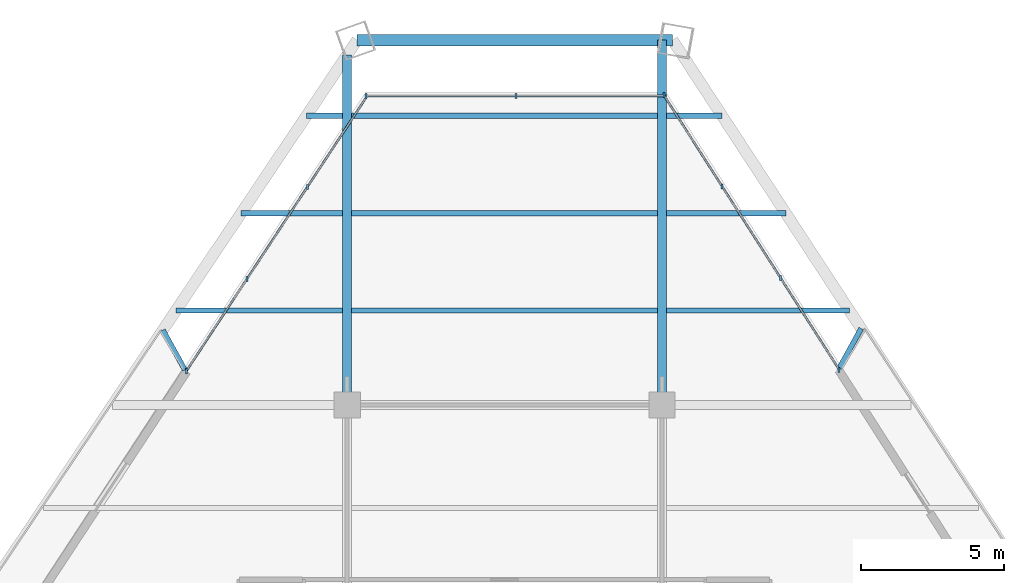
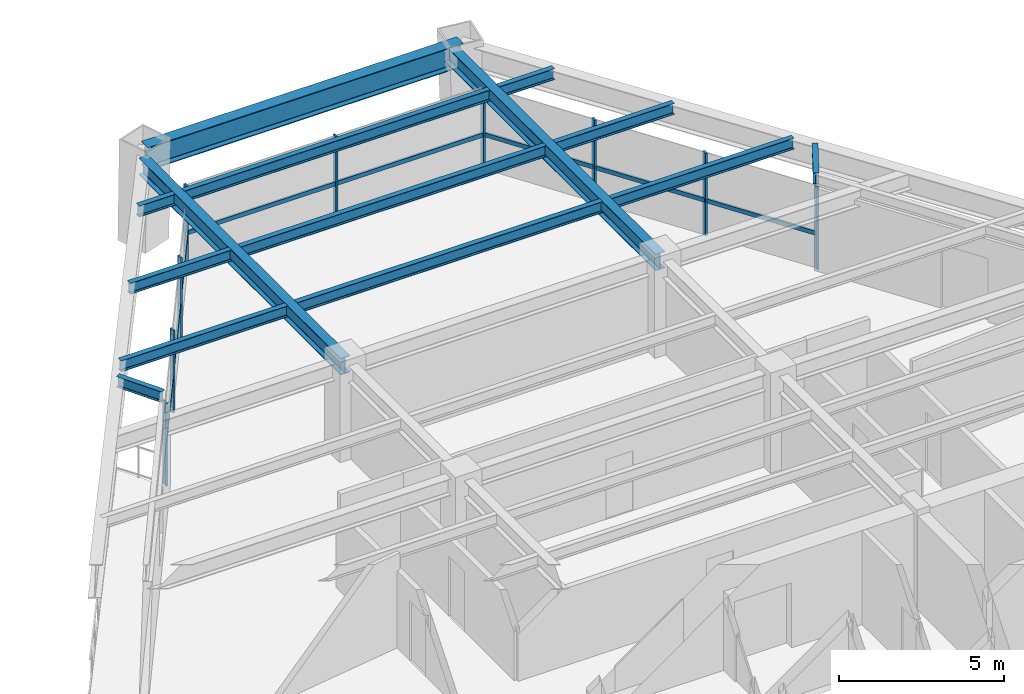
# One storey, part 8 of 14: 18 members, 14 beams, 3 elements without a shape of their own.
"""IFC4 building model written with IfcOpenShell, lengths in metres."""

from ifc_helpers import new_model, si_unit, direction, frame, origin, origin_2d, place, context, subcontext, project, spatial, rectangle, i_section, extrude, source, transform, mapped, material, material_profile, profile_set, type_object, element, aggregate, save


model = new_model("IFC4")

# Units and contexts
model_context = context("Model", 3, precision=1e-05, world=origin(), true_north=direction((0.0, 1.0)))
body_context = subcontext(model_context, "Body", "Model", "MODEL_VIEW")
ifc_project = project(units=[si_unit("LENGTHUNIT", "METRE"), si_unit("AREAUNIT", "SQUARE_METRE"), si_unit("VOLUMEUNIT", "CUBIC_METRE"), si_unit("PLANEANGLEUNIT", "RADIAN"), si_unit("MASSUNIT", "GRAM", prefix="KILO")], contexts=[model_context])

# Site, building, storey
site_placement = place(None, origin())
site = spatial("IfcSite", under=ifc_project, at=site_placement, CompositionType="ELEMENT")
building_placement = place(site_placement, origin())
building = spatial("IfcBuilding", under=site, at=building_placement, Name="Varnakhor Terracotta Tower", CompositionType="ELEMENT")
storey_placement = place(building_placement, frame((0.0, 0.0, 129.300048828125)))
storey = spatial("IfcBuildingStorey", under=building, at=storey_placement, Name="L32", CompositionType="ELEMENT", Elevation=129.300048828125)

# Beams
ifc_material_1 = material(Name="Steel S355", Category="steel")
ifc_material_profile_1 = material_profile(ifc_material_1, i_section(OverallWidth=0.179931640625, OverallDepth=0.4130859375, WebThickness=0.009765625, FlangeThickness=0.01611328125, FilletRadius=0.01806640625, at=origin_2d()), Name="W16X50")
ifc_profile_set_1 = profile_set([ifc_material_profile_1], Name="Steel S355")
beam_type_1 = type_object("IfcBeamType", Name="JST-W16X50", PredefinedType="JOIST", material=ifc_profile_set_1)
shared_shape_1 = source(origin(), body_context, "Body", "SweptSolid", [
    extrude(i_section(OverallWidth=0.179931640625, OverallDepth=0.4130859375, WebThickness=0.009765625, FlangeThickness=0.01611328125, FilletRadius=0.01806640625, at=origin_2d()), origin(), (0.0, 0.0, 1.0), 10.68310546875),
])
for number, where, z_axis, x_axis, name in (
    (1, (-5.341552734375, 34.800048828125, 3.263427734375), (1.0, 0.0, 0.0), (0.0, 1.0, 0.0), "L32 Composite Floor Joist 7-2"),
    (2, (-5.341552734375, 38.199951171875, 3.263427734375), (1.0, 0.0, 0.0), (0.0, 1.0, 0.0), "L32 Composite Floor Joist 8-2"),
    (3, (-5.341552734375, 41.60009765625, 3.263427734375), (1.0, 0.0, 0.0), (0.0, 1.0, 0.0), "L32 Composite Floor Joist 9-2"),
):
    element("IfcBeam", number, at=place(storey_placement, frame(where, z_axis=z_axis, x_axis=x_axis)), inside=storey, type_object=beam_type_1, Name=name, PredefinedType="JOIST", context=body_context, shape_type="MappedRepresentation", body=[
        mapped(shared_shape_1, transform((0.0, 0.0, 0.0), scale=1.0)),
    ])
ifc_material_profile_2 = material_profile(ifc_material_1, i_section(OverallWidth=0.39990234375, OverallDepth=0.85498046875, WebThickness=0.01806640625, FlangeThickness=0.029052734375, FilletRadius=0.01806640625, at=origin_2d()), Name="W33X201")
ifc_profile_set_2 = profile_set([ifc_material_profile_2], Name="Steel S355")
beam_type_2 = type_object("IfcBeamType", Name="BM-W33X201", PredefinedType="BEAM", material=ifc_profile_set_2)
shared_shape_2 = source(origin(), body_context, "Body", "SweptSolid", [
    extrude(i_section(OverallWidth=0.39990234375, OverallDepth=0.85498046875, WebThickness=0.01806640625, FlangeThickness=0.029052734375, FilletRadius=0.01806640625, at=origin_2d()), origin(), (0.0, 0.0, 1.0), 11.017822265625),
])
beam_1_placement = place(storey_placement, frame((5.867431640625, 44.243896484375, 3.04248046875), z_axis=(-1.0, 0.0, 0.0), x_axis=(0.0, -1.0, 0.0)))
element("IfcBeam", 4, at=beam_1_placement, inside=storey, type_object=beam_type_2, Name="L32 Perimeter Spandrel 5", PredefinedType="BEAM", context=body_context, shape_type="MappedRepresentation", body=[
    mapped(shared_shape_2, transform((0.0, 0.0, 0.0), scale=1.0)),
])
ifc_material_profile_3 = material_profile(ifc_material_1, i_section(OverallWidth=0.324951171875, OverallDepth=0.615966796875, WebThickness=0.013916015625, FlangeThickness=0.02197265625, FilletRadius=0.01806640625, at=origin_2d()), Name="W24X117")
ifc_profile_set_3 = profile_set([ifc_material_profile_3], Name="Steel S355")
beam_type_3 = type_object("IfcBeamType", Name="BM-W24X117", PredefinedType="BEAM", material=ifc_profile_set_3)
shared_shape_3 = source(origin(), body_context, "Body", "SweptSolid", [
    extrude(i_section(OverallWidth=0.324951171875, OverallDepth=0.615966796875, WebThickness=0.013916015625, FlangeThickness=0.02197265625, FilletRadius=0.01806640625, at=origin_2d()), origin(), (0.0, 0.0, 1.0), 12.222412109375),
])
beam_2_placement = place(storey_placement, frame((-5.5, 31.5, 3.161865234375), z_axis=(0.0, 1.0, 0.0), x_axis=(-1.0, 0.0, 0.0)))
element("IfcBeam", 5, at=beam_2_placement, inside=storey, type_object=beam_type_3, Name="L32 Primary Girder NS3-W", PredefinedType="BEAM", context=body_context, shape_type="MappedRepresentation", body=[
    mapped(shared_shape_3, transform((0.0, 0.0, 0.0), scale=1.0)),
])
shared_shape_4 = source(origin(), body_context, "Body", "SweptSolid", [
    extrude(i_section(OverallWidth=0.324951171875, OverallDepth=0.615966796875, WebThickness=0.013916015625, FlangeThickness=0.02197265625, FilletRadius=0.01806640625, at=origin_2d()), origin(), (0.0, 0.0, 1.0), 12.743896484375),
])
beam_3_placement = place(storey_placement, frame((5.5, 31.5, 3.161865234375), z_axis=(0.0, 1.0, 0.0), x_axis=(-1.0, 0.0, 0.0)))
element("IfcBeam", 6, at=beam_3_placement, inside=storey, type_object=beam_type_3, Name="L32 Primary Girder NS3-E", PredefinedType="BEAM", context=body_context, shape_type="MappedRepresentation", body=[
    mapped(shared_shape_4, transform((0.0, 0.0, 0.0), scale=1.0)),
])
shared_shape_5 = source(origin(), body_context, "Body", "SweptSolid", [
    extrude(i_section(OverallWidth=0.179931640625, OverallDepth=0.4130859375, WebThickness=0.009765625, FlangeThickness=0.01611328125, FilletRadius=0.01806640625, at=origin_2d()), origin(), (0.0, 0.0, 1.0), 5.820556640625),
])
beam_4_placement = place(storey_placement, frame((-11.47900390625, 34.800048828125, 3.263427734375), z_axis=(1.0, 0.0, 0.0), x_axis=(0.0, 1.0, 0.0)))
element("IfcBeam", 7, at=beam_4_placement, inside=storey, type_object=beam_type_1, Name="L32 Composite Floor Joist 7-1", PredefinedType="JOIST", context=body_context, shape_type="MappedRepresentation", body=[
    mapped(shared_shape_5, transform((0.0, 0.0, 0.0), scale=1.0)),
])
shared_shape_6 = source(origin(), body_context, "Body", "SweptSolid", [
    extrude(i_section(OverallWidth=0.179931640625, OverallDepth=0.4130859375, WebThickness=0.009765625, FlangeThickness=0.01611328125, FilletRadius=0.01806640625, at=origin_2d()), origin(), (0.0, 0.0, 1.0), 6.384521484375),
])
beam_5_placement = place(storey_placement, frame((5.658447265625, 34.800048828125, 3.263427734375), z_axis=(1.0, 0.0, 0.0), x_axis=(0.0, 1.0, 0.0)))
element("IfcBeam", 8, at=beam_5_placement, inside=storey, type_object=beam_type_1, Name="L32 Composite Floor Joist 7-3", PredefinedType="JOIST", context=body_context, shape_type="MappedRepresentation", body=[
    mapped(shared_shape_6, transform((0.0, 0.0, 0.0), scale=1.0)),
])
shared_shape_7 = source(origin(), body_context, "Body", "SweptSolid", [
    extrude(i_section(OverallWidth=0.179931640625, OverallDepth=0.4130859375, WebThickness=0.009765625, FlangeThickness=0.01611328125, FilletRadius=0.01806640625, at=origin_2d()), origin(), (0.0, 0.0, 1.0), 3.542236328125),
])
beam_6_placement = place(storey_placement, frame((-9.20068359375, 38.199951171875, 3.263427734375), z_axis=(1.0, 0.0, 0.0), x_axis=(0.0, 1.0, 0.0)))
element("IfcBeam", 9, at=beam_6_placement, inside=storey, type_object=beam_type_1, Name="L32 Composite Floor Joist 8-1", PredefinedType="JOIST", context=body_context, shape_type="MappedRepresentation", body=[
    mapped(shared_shape_7, transform((0.0, 0.0, 0.0), scale=1.0)),
])
shared_shape_8 = source(origin(), body_context, "Body", "SweptSolid", [
    extrude(i_section(OverallWidth=0.179931640625, OverallDepth=0.4130859375, WebThickness=0.009765625, FlangeThickness=0.01611328125, FilletRadius=0.01806640625, at=origin_2d()), origin(), (0.0, 0.0, 1.0), 4.1611328125),
])
beam_7_placement = place(storey_placement, frame((5.658447265625, 38.199951171875, 3.263427734375), z_axis=(1.0, 0.0, 0.0), x_axis=(0.0, 1.0, 0.0)))
element("IfcBeam", 10, at=beam_7_placement, inside=storey, type_object=beam_type_1, Name="L32 Composite Floor Joist 8-3", PredefinedType="JOIST", context=body_context, shape_type="MappedRepresentation", body=[
    mapped(shared_shape_8, transform((0.0, 0.0, 0.0), scale=1.0)),
])
shared_shape_9 = source(origin(), body_context, "Body", "SweptSolid", [
    extrude(i_section(OverallWidth=0.179931640625, OverallDepth=0.4130859375, WebThickness=0.009765625, FlangeThickness=0.01611328125, FilletRadius=0.01806640625, at=origin_2d()), origin(), (0.0, 0.0, 1.0), 1.263671875),
])
beam_8_placement = place(storey_placement, frame((-6.922119140625, 41.60009765625, 3.263427734375), z_axis=(1.0, 0.0, 0.0), x_axis=(0.0, 1.0, 0.0)))
element("IfcBeam", 11, at=beam_8_placement, inside=storey, type_object=beam_type_1, Name="L32 Composite Floor Joist 9-1", PredefinedType="JOIST", context=body_context, shape_type="MappedRepresentation", body=[
    mapped(shared_shape_9, transform((0.0, 0.0, 0.0), scale=1.0)),
])
shared_shape_10 = source(origin(), body_context, "Body", "SweptSolid", [
    extrude(i_section(OverallWidth=0.179931640625, OverallDepth=0.4130859375, WebThickness=0.009765625, FlangeThickness=0.01611328125, FilletRadius=0.01806640625, at=origin_2d()), origin(), (0.0, 0.0, 1.0), 1.937744140625),
])
beam_9_placement = place(storey_placement, frame((5.658447265625, 41.60009765625, 3.263427734375), z_axis=(1.0, 0.0, 0.0), x_axis=(0.0, 1.0, 0.0)))
element("IfcBeam", 12, at=beam_9_placement, inside=storey, type_object=beam_type_1, Name="L32 Composite Floor Joist 9-3", PredefinedType="JOIST", context=body_context, shape_type="MappedRepresentation", body=[
    mapped(shared_shape_10, transform((0.0, 0.0, 0.0), scale=1.0)),
])

# Curtain wall, members
ifc_material_2 = material(Name="Anodised Aluminium Curtain Wall System", Category="aluminium")
curtain_wall_type = type_object("IfcCurtainWallType", Name="CW-SYS-MID-OFFICE", PredefinedType="NOTDEFINED", material=ifc_material_2)
curtain_wall_1_placement = place(storey_placement, origin())
curtain_wall_1 = element("IfcCurtainWall", 13, at=curtain_wall_1_placement, inside=storey, type_object=curtain_wall_type, Name="L32 W Facet Curtain Wall 2", PredefinedType="NOTDEFINED")
ifc_material_3 = material(Name="Anodised Aluminium 6063-T6", Category="aluminium")
ifc_material_profile_4 = material_profile(ifc_material_3, rectangle(XDim=0.070068359375, YDim=0.175048828125, at=origin_2d()), Name="ALU MULLION 70x175")
ifc_profile_set_4 = profile_set([ifc_material_profile_4], Name="Anodised Aluminium 6063-T6")
member_type_1 = type_object("IfcMemberType", Name="CWM-03", PredefinedType="MULLION", material=ifc_profile_set_4)
shared_shape_11 = source(origin(), body_context, "Body", "SweptSolid", [
    extrude(rectangle(XDim=0.070068359375, YDim=0.175048828125, at=origin_2d()), origin(), (0.0, 0.0, 1.0), 3.050048828125),
])
member_1_placement = place(storey_placement, frame((-11.10205078125, 32.70166015625, 0.0), z_axis=(0.0, 0.0, 1.0), x_axis=(1.0, 0.0, 0.0)))
member_1 = element("IfcMember", 14, at=member_1_placement, type_object=member_type_1, Name="L32 W Facet Curtain Wall 2 Mullion 1", PredefinedType="MULLION", context=body_context, shape_type="MappedRepresentation", body=[
    mapped(shared_shape_11, transform((0.0, 0.0, 0.0), scale=1.0)),
])
member_2_placement = place(storey_placement, frame((-8.994140625, 35.909423828125, 0.0), z_axis=(0.0, 0.0, 1.0), x_axis=(1.0, 0.0, 0.0)))
member_2 = element("IfcMember", 15, at=member_2_placement, type_object=member_type_1, Name="L32 W Facet Curtain Wall 2 Mullion 2", PredefinedType="MULLION", context=body_context, shape_type="MappedRepresentation", body=[
    mapped(shared_shape_11, transform((0.0, 0.0, 0.0), scale=1.0)),
])
member_3_placement = place(storey_placement, frame((-6.885986328125, 39.1171875, 0.0), z_axis=(0.0, 0.0, 1.0), x_axis=(1.0, 0.0, 0.0)))
member_3 = element("IfcMember", 16, at=member_3_placement, type_object=member_type_1, Name="L32 W Facet Curtain Wall 2 Mullion 3", PredefinedType="MULLION", context=body_context, shape_type="MappedRepresentation", body=[
    mapped(shared_shape_11, transform((0.0, 0.0, 0.0), scale=1.0)),
])
member_4_placement = place(storey_placement, frame((-11.101806640625, 32.66552734375, 0.0), z_axis=(0.0, 0.0, 1.0), x_axis=(1.0, 0.0, 0.0)))
member_4 = element("IfcMember", 17, at=member_4_placement, type_object=member_type_1, Name="L32 W Loggia Jamb Closure Mullion 2", PredefinedType="MULLION", context=body_context, shape_type="MappedRepresentation", body=[
    mapped(shared_shape_11, transform((0.0, 0.0, 0.0), scale=1.0)),
])

curtain_wall_2_placement = place(storey_placement, origin())
curtain_wall_2 = element("IfcCurtainWall", 18, at=curtain_wall_2_placement, inside=storey, type_object=curtain_wall_type, Name="L32 Facet Curtain Wall 2", PredefinedType="NOTDEFINED")
member_5_placement = place(storey_placement, frame((-4.831787109375, 42.2958984375, 0.0), z_axis=(0.0, 0.0, 1.0), x_axis=(1.0, 0.0, 0.0)))
member_5 = element("IfcMember", 19, at=member_5_placement, type_object=member_type_1, Name="L32 Facet Curtain Wall 2 Mullion 1", PredefinedType="MULLION", context=body_context, shape_type="MappedRepresentation", body=[
    mapped(shared_shape_11, transform((0.0, 0.0, 0.0), scale=1.0)),
])
member_6_placement = place(storey_placement, frame((0.391357421875, 42.2958984375, 0.0), z_axis=(0.0, 0.0, 1.0), x_axis=(1.0, 0.0, 0.0)))
member_6 = element("IfcMember", 20, at=member_6_placement, type_object=member_type_1, Name="L32 Facet Curtain Wall 2 Mullion 2", PredefinedType="MULLION", context=body_context, shape_type="MappedRepresentation", body=[
    mapped(shared_shape_11, transform((0.0, 0.0, 0.0), scale=1.0)),
])

curtain_wall_3_placement = place(storey_placement, origin())
curtain_wall_3 = element("IfcCurtainWall", 21, at=curtain_wall_3_placement, inside=storey, type_object=curtain_wall_type, Name="L32 E Facet Curtain Wall 1", PredefinedType="NOTDEFINED")
member_7_placement = place(storey_placement, frame((5.559326171875, 42.326171875, 0.0), z_axis=(0.0, 0.0, 1.0), x_axis=(1.0, 0.0, 0.0)))
member_7 = element("IfcMember", 22, at=member_7_placement, type_object=member_type_1, Name="L32 E Facet Curtain Wall 1 Mullion 1", PredefinedType="MULLION", context=body_context, shape_type="MappedRepresentation", body=[
    mapped(shared_shape_11, transform((0.0, 0.0, 0.0), scale=1.0)),
])
member_8_placement = place(storey_placement, frame((7.59765625, 39.135009765625, 0.0), z_axis=(0.0, 0.0, 1.0), x_axis=(1.0, 0.0, 0.0)))
member_8 = element("IfcMember", 23, at=member_8_placement, type_object=member_type_1, Name="L32 E Facet Curtain Wall 1 Mullion 2", PredefinedType="MULLION", context=body_context, shape_type="MappedRepresentation", body=[
    mapped(shared_shape_11, transform((0.0, 0.0, 0.0), scale=1.0)),
])
member_9_placement = place(storey_placement, frame((9.6357421875, 35.94384765625, 0.0), z_axis=(0.0, 0.0, 1.0), x_axis=(1.0, 0.0, 0.0)))
member_9 = element("IfcMember", 24, at=member_9_placement, type_object=member_type_1, Name="L32 E Facet Curtain Wall 1 Mullion 3", PredefinedType="MULLION", context=body_context, shape_type="MappedRepresentation", body=[
    mapped(shared_shape_11, transform((0.0, 0.0, 0.0), scale=1.0)),
])
member_10_placement = place(storey_placement, frame((11.67333984375, 32.716796875, 0.0), z_axis=(0.0, 0.0, 1.0), x_axis=(1.0, 0.0, 0.0)))
member_10 = element("IfcMember", 25, at=member_10_placement, type_object=member_type_1, Name="L32 E Loggia Jamb Closure Mullion 1", PredefinedType="MULLION", context=body_context, shape_type="MappedRepresentation", body=[
    mapped(shared_shape_11, transform((0.0, 0.0, 0.0), scale=1.0)),
])

# Member
ifc_material_profile_5 = material_profile(ifc_material_3, rectangle(XDim=0.070068359375, YDim=0.155029296875, at=origin_2d()), Name="ALU TRANSOM 70x155")
ifc_profile_set_5 = profile_set([ifc_material_profile_5], Name="Anodised Aluminium 6063-T6")
member_type_2 = type_object("IfcMemberType", Name="CWT-03", PredefinedType="USERDEFINED", material=ifc_profile_set_5)
shared_shape_12 = source(origin(), body_context, "Body", "SweptSolid", [
    extrude(rectangle(XDim=0.070068359375, YDim=0.155029296875, at=origin_2d()), origin(), (0.0, 0.0, 1.0), 3.83837890625),
])
member_11_placement = place(storey_placement, frame((-11.10205078125, 32.70166015625, 1.281005859375), z_axis=(0.549169002181, 0.835711318006, 0.0), x_axis=(-0.835711318006, 0.549169002181, 0.0)))
member_11 = element("IfcMember", 26, at=member_11_placement, type_object=member_type_2, Name="L32 W Facet Curtain Wall 2 Transom 1", ObjectType="TRANSOM", PredefinedType="USERDEFINED", context=body_context, shape_type="MappedRepresentation", body=[
    mapped(shared_shape_12, transform((0.0, 0.0, 0.0), scale=1.0)),
])

member_12_placement = place(storey_placement, frame((-8.994140625, 35.909423828125, 1.281005859375), z_axis=(0.549213422716, 0.835682126354, 0.0), x_axis=(-0.835682126354, 0.549213422716, 0.0)))
member_12 = element("IfcMember", 27, at=member_12_placement, type_object=member_type_2, Name="L32 W Facet Curtain Wall 2 Transom 2", ObjectType="TRANSOM", PredefinedType="USERDEFINED", context=body_context, shape_type="MappedRepresentation", body=[
    mapped(shared_shape_12, transform((0.0, 0.0, 0.0), scale=1.0)),
])

member_13_placement = place(storey_placement, frame((-6.885986328125, 39.1171875, 1.281005859375), z_axis=(0.549169002181, 0.835711318006, 0.0), x_axis=(-0.835711318006, 0.549169002181, 0.0)))
member_13 = element("IfcMember", 28, at=member_13_placement, type_object=member_type_2, Name="L32 W Facet Curtain Wall 2 Transom 3", ObjectType="TRANSOM", PredefinedType="USERDEFINED", context=body_context, shape_type="MappedRepresentation", body=[
    mapped(shared_shape_12, transform((0.0, 0.0, 0.0), scale=1.0)),
])

aggregate(curtain_wall_1, [member_1, member_11, member_2, member_12, member_3, member_13, member_4])

shared_shape_13 = source(origin(), body_context, "Body", "SweptSolid", [
    extrude(rectangle(XDim=0.070068359375, YDim=0.155029296875, at=origin_2d()), origin(), (0.0, 0.0, 1.0), 5.22314453125),
])
member_14_placement = place(storey_placement, frame((-4.831787109375, 42.2958984375, 1.281005859375), z_axis=(1.0, 0.0, 0.0), x_axis=(0.0, 1.0, 0.0)))
member_14 = element("IfcMember", 29, at=member_14_placement, type_object=member_type_2, Name="L32 Facet Curtain Wall 2 Transom 1", ObjectType="TRANSOM", PredefinedType="USERDEFINED", context=body_context, shape_type="MappedRepresentation", body=[
    mapped(shared_shape_13, transform((0.0, 0.0, 0.0), scale=1.0)),
])

member_15_placement = place(storey_placement, frame((0.391357421875, 42.2958984375, 1.281005859375), z_axis=(1.0, 0.0, 0.0), x_axis=(0.0, 1.0, 0.0)))
member_15 = element("IfcMember", 30, at=member_15_placement, type_object=member_type_2, Name="L32 Facet Curtain Wall 2 Transom 2", ObjectType="TRANSOM", PredefinedType="USERDEFINED", context=body_context, shape_type="MappedRepresentation", body=[
    mapped(shared_shape_13, transform((0.0, 0.0, 0.0), scale=1.0)),
])

aggregate(curtain_wall_2, [member_5, member_14, member_6, member_15])

shared_shape_14 = source(origin(), body_context, "Body", "SweptSolid", [
    extrude(rectangle(XDim=0.070068359375, YDim=0.155029296875, at=origin_2d()), origin(), (0.0, 0.0, 1.0), 3.78662109375),
])
member_16_placement = place(storey_placement, frame((5.559326171875, 42.326171875, 1.281005859375), z_axis=(0.538301517567, -0.842752321969, 0.0), x_axis=(0.842752321969, 0.538301517567, 0.0)))
member_16 = element("IfcMember", 31, at=member_16_placement, type_object=member_type_2, Name="L32 E Facet Curtain Wall 1 Transom 1", ObjectType="TRANSOM", PredefinedType="USERDEFINED", context=body_context, shape_type="MappedRepresentation", body=[
    mapped(shared_shape_14, transform((0.0, 0.0, 0.0), scale=1.0)),
])

member_17_placement = place(storey_placement, frame((9.6357421875, 35.94384765625, 1.281005859375), z_axis=(0.538301517567, -0.842752321969, 0.0), x_axis=(0.842752321969, 0.538301517567, 0.0)))
member_17 = element("IfcMember", 32, at=member_17_placement, type_object=member_type_2, Name="L32 E Facet Curtain Wall 1 Transom 3", ObjectType="TRANSOM", PredefinedType="USERDEFINED", context=body_context, shape_type="MappedRepresentation", body=[
    mapped(shared_shape_14, transform((0.0, 0.0, 0.0), scale=1.0)),
])

shared_shape_15 = source(origin(), body_context, "Body", "SweptSolid", [
    extrude(rectangle(XDim=0.070068359375, YDim=0.155029296875, at=origin_2d()), origin(), (0.0, 0.0, 1.0), 3.786376953125),
])
member_18_placement = place(storey_placement, frame((7.59765625, 39.135009765625, 1.281005859375), z_axis=(0.538255723031, -0.842781571123, 0.0), x_axis=(0.842781571123, 0.538255723031, 0.0)))
member_18 = element("IfcMember", 33, at=member_18_placement, type_object=member_type_2, Name="L32 E Facet Curtain Wall 1 Transom 2", ObjectType="TRANSOM", PredefinedType="USERDEFINED", context=body_context, shape_type="MappedRepresentation", body=[
    mapped(shared_shape_15, transform((0.0, 0.0, 0.0), scale=1.0)),
])

aggregate(curtain_wall_3, [member_7, member_16, member_8, member_18, member_9, member_17, member_10])

# Beams
ifc_material_profile_6 = material_profile(ifc_material_1, i_section(OverallWidth=0.179931640625, OverallDepth=0.39990234375, WebThickness=0.008544921875, FlangeThickness=0.013427734375, FilletRadius=0.01806640625, at=origin_2d()), Name="IPE400")
ifc_profile_set_6 = profile_set([ifc_material_profile_6], Name="Steel S355")
beam_type_4 = type_object("IfcBeamType", Name="JST-IPE400", PredefinedType="JOIST", material=ifc_profile_set_6)
shared_shape_16 = source(origin(), body_context, "Body", "SweptSolid", [
    extrude(i_section(OverallWidth=0.179931640625, OverallDepth=0.39990234375, WebThickness=0.008544921875, FlangeThickness=0.013427734375, FilletRadius=0.01806640625, at=origin_2d()), origin(), (0.0, 0.0, 1.0), 1.594970703125),
])
beam_10_placement = place(storey_placement, frame((-11.16357421875, 32.722900390625, 3.27001953125), z_axis=(-0.483991562637, 0.875072664009, 0.0), x_axis=(-0.875072664009, -0.483991562637, 0.0)))
element("IfcBeam", 34, at=beam_10_placement, inside=storey, type_object=beam_type_4, Name="L33 W Loggia Tie Beam 2", PredefinedType="JOIST", context=body_context, shape_type="MappedRepresentation", body=[
    mapped(shared_shape_16, transform((0.0, 0.0, 0.0), scale=1.0)),
])
shared_shape_17 = source(origin(), body_context, "Body", "SweptSolid", [
    extrude(i_section(OverallWidth=0.179931640625, OverallDepth=0.39990234375, WebThickness=0.008544921875, FlangeThickness=0.013427734375, FilletRadius=0.01806640625, at=origin_2d()), origin(), (0.0, 0.0, 1.0), 1.595703125),
])
beam_11_placement = place(storey_placement, frame((11.68359375, 32.7744140625, 3.27001953125), z_axis=(0.482535294951, 0.875876526188, 0.0), x_axis=(-0.875876526188, 0.482535294951, 0.0)))
element("IfcBeam", 35, at=beam_11_placement, inside=storey, type_object=beam_type_4, Name="L33 E Loggia Tie Beam 1", PredefinedType="JOIST", context=body_context, shape_type="MappedRepresentation", body=[
    mapped(shared_shape_17, transform((0.0, 0.0, 0.0), scale=1.0)),
])

save(model, "model.ifc")
